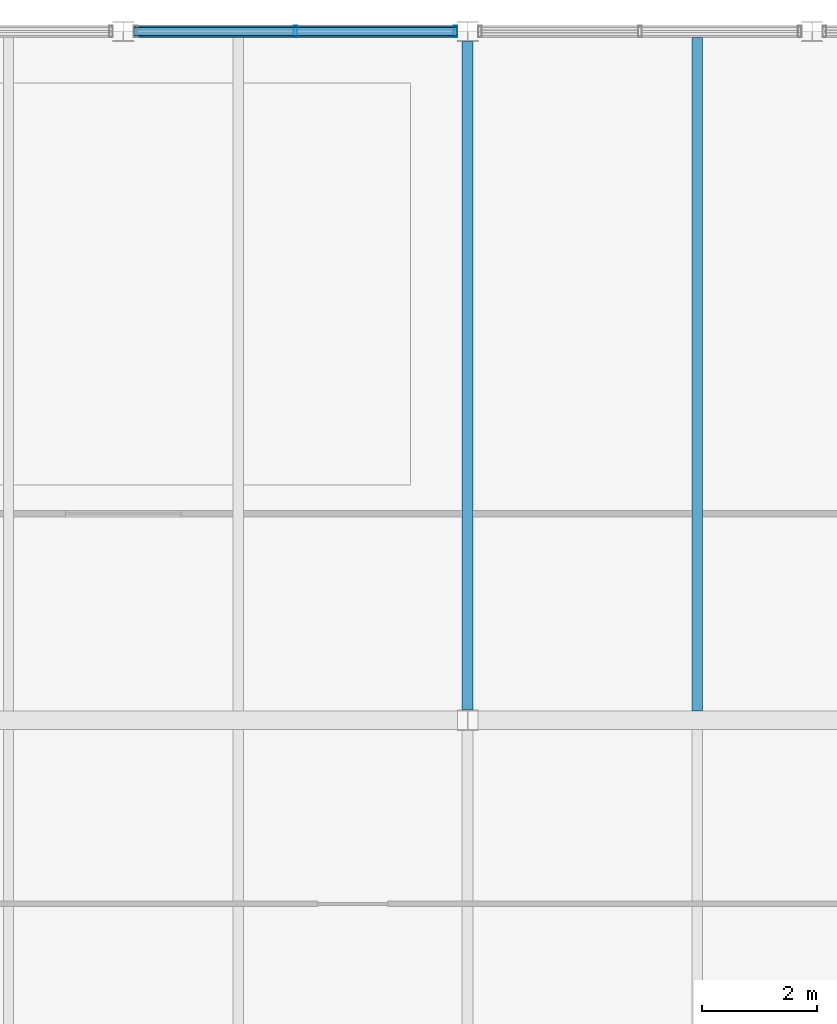
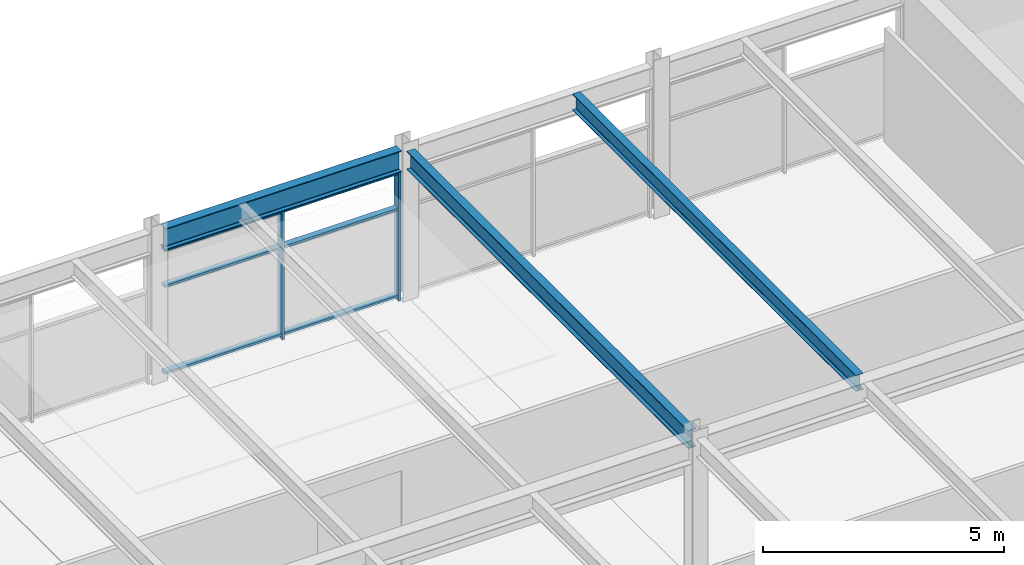
# One storey, part 16 of 23: 5 members, 3 beams, 1 element without a shape of its own.
"""IFC4 building model written with IfcOpenShell, lengths in metres."""

from ifc_helpers import new_model, si_unit, direction, frame, origin, origin_2d, place, context, subcontext, project, spatial, hollow_rectangle, i_section, extrude, material, material_profile, profile_set, type_object, element, aggregate, save


model = new_model("IFC4")

# Units and contexts
model_context = context("Model", 3, precision=1e-05, world=origin(), true_north=direction((0.0, 1.0)))
body_context = subcontext(model_context, "Body", "Model", "MODEL_VIEW")
ifc_project = project(units=[si_unit("LENGTHUNIT", "METRE"), si_unit("AREAUNIT", "SQUARE_METRE"), si_unit("VOLUMEUNIT", "CUBIC_METRE"), si_unit("PLANEANGLEUNIT", "RADIAN"), si_unit("MASSUNIT", "GRAM", prefix="KILO")], contexts=[model_context])

# Site, building, storey
site_placement = place(None, origin())
site = spatial("IfcSite", under=ifc_project, at=site_placement, CompositionType="ELEMENT")
building_placement = place(site_placement, origin())
building = spatial("IfcBuilding", under=site, at=building_placement, Name="Girod Span Mobility Hub", CompositionType="ELEMENT")
storey_placement = place(building_placement, frame((0.0, 0.0, 65.60009765625)))
storey = spatial("IfcBuildingStorey", under=building, at=storey_placement, Name="L16", CompositionType="ELEMENT", Elevation=65.60009765625)

# Beams
ifc_material_1 = material(Name="Steel A992 Grade 50", Category="steel")
ifc_material_profile_1 = material_profile(ifc_material_1, i_section(OverallWidth=0.178955078125, OverallDepth=0.409912109375, WebThickness=0.0087890625, FlangeThickness=0.014404296875, FilletRadius=0.012939453125, at=origin_2d()), Name="W16X45")
ifc_profile_set_1 = profile_set([ifc_material_profile_1], Name="Steel A992 Grade 50")
beam_type_1 = type_object("IfcBeamType", Name="BM-STL-W16X45", PredefinedType="BEAM", material=ifc_profile_set_1)
beam_1_placement = place(storey_placement, frame((100.0, 57.158935546875, 3.5849609375), z_axis=(0.0, 1.0, 0.0), x_axis=(-1.0, 0.0, 0.0)))
element("IfcBeam", 1, at=beam_1_placement, inside=storey, type_object=beam_type_1, Name="Composite Floorbeam 9/E-1 L16", PredefinedType="BEAM", context=body_context, shape_type="SweptSolid", body=[
    extrude(i_section(OverallWidth=0.178955078125, OverallDepth=0.409912109375, WebThickness=0.0087890625, FlangeThickness=0.014404296875, FilletRadius=0.012939453125, at=origin_2d()), origin(), (0.0, 0.0, 1.0), 11.738037109375),
])
ifc_material_2 = material(Name="Steel A992 Grade 50", Category="steel")
ifc_material_profile_2 = material_profile(ifc_material_2, i_section(OverallWidth=0.19189453125, OverallDepth=0.462890625, WebThickness=0.010498046875, FlangeThickness=0.017578125, FilletRadius=0.013916015625, at=origin_2d()), Name="W18X60")
ifc_profile_set_2 = profile_set([ifc_material_profile_2], Name="Steel A992 Grade 50")
beam_type_2 = type_object("IfcBeamType", Name="BM-STL-W18X60", PredefinedType="BEAM", material=ifc_profile_set_2)
beam_2_placement = place(storey_placement, frame((96.0, 57.175048828125, 3.558349609375), z_axis=(0.0, 1.0, 0.0), x_axis=(-1.0, 0.0, 0.0)))
element("IfcBeam", 2, at=beam_2_placement, inside=storey, type_object=beam_type_2, Name="Tie Girder 9/E-F L16", PredefinedType="BEAM", context=body_context, shape_type="SweptSolid", body=[
    extrude(i_section(OverallWidth=0.19189453125, OverallDepth=0.462890625, WebThickness=0.010498046875, FlangeThickness=0.017578125, FilletRadius=0.013916015625, at=origin_2d()), origin(), (0.0, 0.0, 1.0), 11.64990234375),
])
ifc_material_3 = material(Name="Steel A992 Grade 50", Category="steel")
ifc_material_profile_3 = material_profile(ifc_material_3, i_section(OverallWidth=0.2119140625, OverallDepth=0.5439453125, WebThickness=0.01318359375, FlangeThickness=0.021240234375, FilletRadius=0.014892578125, at=origin_2d()), Name="W21X83")
ifc_profile_set_3 = profile_set([ifc_material_profile_3], Name="Steel A992 Grade 50")
beam_type_3 = type_object("IfcBeamType", Name="BM-STL-W21X83", PredefinedType="SPANDREL", material=ifc_profile_set_3)
beam_3_placement = place(storey_placement, frame((90.181396484375, 69.0, 3.517822265625), z_axis=(1.0, 0.0, 0.0), x_axis=(0.0, 1.0, 0.0)))
element("IfcBeam", 3, at=beam_3_placement, inside=storey, type_object=beam_type_3, Name="Spandrel Beam 8-9/F-E L16", PredefinedType="SPANDREL", context=body_context, shape_type="SweptSolid", body=[
    extrude(i_section(OverallWidth=0.2119140625, OverallDepth=0.5439453125, WebThickness=0.01318359375, FlangeThickness=0.021240234375, FilletRadius=0.014892578125, at=origin_2d()), origin(), (0.0, 0.0, 1.0), 5.63720703125),
])

# Curtain wall, members
ifc_material_4 = material(Name="Thermally Broken Anodised Aluminium", Category="aluminium")
curtain_wall_type = type_object("IfcCurtainWallType", Name="CW-564X325", PredefinedType="USERDEFINED", material=ifc_material_4)
curtain_wall_placement = place(storey_placement, origin())
curtain_wall = element("IfcCurtainWall", 4, at=curtain_wall_placement, inside=storey, type_object=curtain_wall_type, Name="Unitised Curtain Wall CW-L16-N08E L16", ObjectType="UNITISED CURTAIN WALL", PredefinedType="USERDEFINED")
ifc_material_5 = material(Name="Thermally Broken Anodised Aluminium", Category="aluminium")
ifc_material_profile_4 = material_profile(ifc_material_5, hollow_rectangle(XDim=0.199951171875, YDim=0.06494140625, WallThickness=0.00390625, InnerFilletRadius=0.00390625, OuterFilletRadius=0.008056640625, at=origin_2d()), Name="CW-ML-65X200")
ifc_profile_set_4 = profile_set([ifc_material_profile_4], Name="Thermally Broken Anodised Aluminium")
member_type_1 = type_object("IfcMemberType", Name="CWM-ML-1", PredefinedType="MULLION", material=ifc_profile_set_4)
member_1_placement = place(storey_placement, frame((93.0, 69.0, 0.0), z_axis=(0.0, 0.0, 1.0), x_axis=(0.0, 1.0, 0.0)))
member_1 = element("IfcMember", 5, at=member_1_placement, type_object=member_type_1, Name="Curtain Wall Mullion CW-L16-N08E-M1", PredefinedType="MULLION", context=body_context, shape_type="SweptSolid", body=[
    extrude(hollow_rectangle(XDim=0.199951171875, YDim=0.06494140625, WallThickness=0.00390625, InnerFilletRadius=0.00390625, OuterFilletRadius=0.008056640625, at=origin_2d()), origin(), (0.0, 0.0, 1.0), 3.245849609375),
])
member_2_placement = place(storey_placement, frame((95.785400390625, 69.0, 0.0), z_axis=(0.0, 0.0, 1.0), x_axis=(0.0, 1.0, 0.0)))
member_2 = element("IfcMember", 6, at=member_2_placement, type_object=member_type_1, Name="Curtain Wall Mullion CW-L16-N08E-M2", PredefinedType="MULLION", context=body_context, shape_type="SweptSolid", body=[
    extrude(hollow_rectangle(XDim=0.199951171875, YDim=0.06494140625, WallThickness=0.00390625, InnerFilletRadius=0.00390625, OuterFilletRadius=0.008056640625, at=origin_2d()), origin(), (0.0, 0.0, 1.0), 3.245849609375),
])
ifc_material_6 = material(Name="Thermally Broken Anodised Aluminium", Category="aluminium")
ifc_material_profile_5 = material_profile(ifc_material_6, hollow_rectangle(XDim=0.14990234375, YDim=0.06494140625, WallThickness=0.00390625, InnerFilletRadius=0.00390625, OuterFilletRadius=0.008056640625, at=origin_2d()), Name="CW-TR-65X150")
ifc_profile_set_5 = profile_set([ifc_material_profile_5], Name="Thermally Broken Anodised Aluminium")
member_type_2 = type_object("IfcMemberType", Name="CWM-TR-1", PredefinedType="USERDEFINED", material=ifc_profile_set_5)
member_3_placement = place(storey_placement, frame((90.1826171875, 69.0, 0.107421875), z_axis=(1.0, 0.0, 0.0), x_axis=(0.0, 1.0, 0.0)))
member_3 = element("IfcMember", 7, at=member_3_placement, type_object=member_type_2, Name="Curtain Wall Transom CW-L16-N08E-T1", ObjectType="TRANSOM", PredefinedType="USERDEFINED", context=body_context, shape_type="SweptSolid", body=[
    extrude(hollow_rectangle(XDim=0.14990234375, YDim=0.06494140625, WallThickness=0.00390625, InnerFilletRadius=0.00390625, OuterFilletRadius=0.008056640625, at=origin_2d()), origin(), (0.0, 0.0, 1.0), 5.634765625),
])
member_4_placement = place(storey_placement, frame((90.1826171875, 69.0, 2.304443359375), z_axis=(1.0, 0.0, 0.0), x_axis=(0.0, 1.0, 0.0)))
member_4 = element("IfcMember", 8, at=member_4_placement, type_object=member_type_2, Name="Curtain Wall Transom CW-L16-N08E-T2", ObjectType="TRANSOM", PredefinedType="USERDEFINED", context=body_context, shape_type="SweptSolid", body=[
    extrude(hollow_rectangle(XDim=0.14990234375, YDim=0.06494140625, WallThickness=0.00390625, InnerFilletRadius=0.00390625, OuterFilletRadius=0.008056640625, at=origin_2d()), origin(), (0.0, 0.0, 1.0), 5.634765625),
])
member_5_placement = place(storey_placement, frame((90.1826171875, 69.0, 3.21337890625), z_axis=(1.0, 0.0, 0.0), x_axis=(0.0, 1.0, 0.0)))
member_5 = element("IfcMember", 9, at=member_5_placement, type_object=member_type_2, Name="Curtain Wall Transom CW-L16-N08E-T3", ObjectType="TRANSOM", PredefinedType="USERDEFINED", context=body_context, shape_type="SweptSolid", body=[
    extrude(hollow_rectangle(XDim=0.14990234375, YDim=0.06494140625, WallThickness=0.00390625, InnerFilletRadius=0.00390625, OuterFilletRadius=0.008056640625, at=origin_2d()), origin(), (0.0, 0.0, 1.0), 5.634765625),
])
aggregate(curtain_wall, [member_1, member_2, member_3, member_4, member_5])

save(model, "model.ifc")
